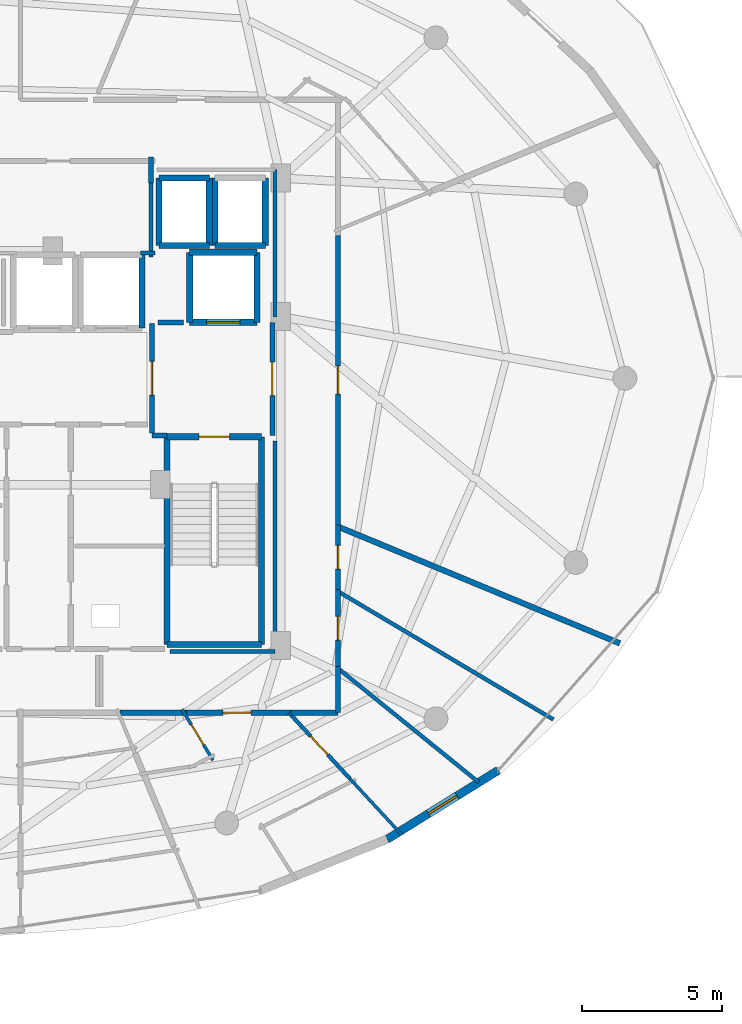
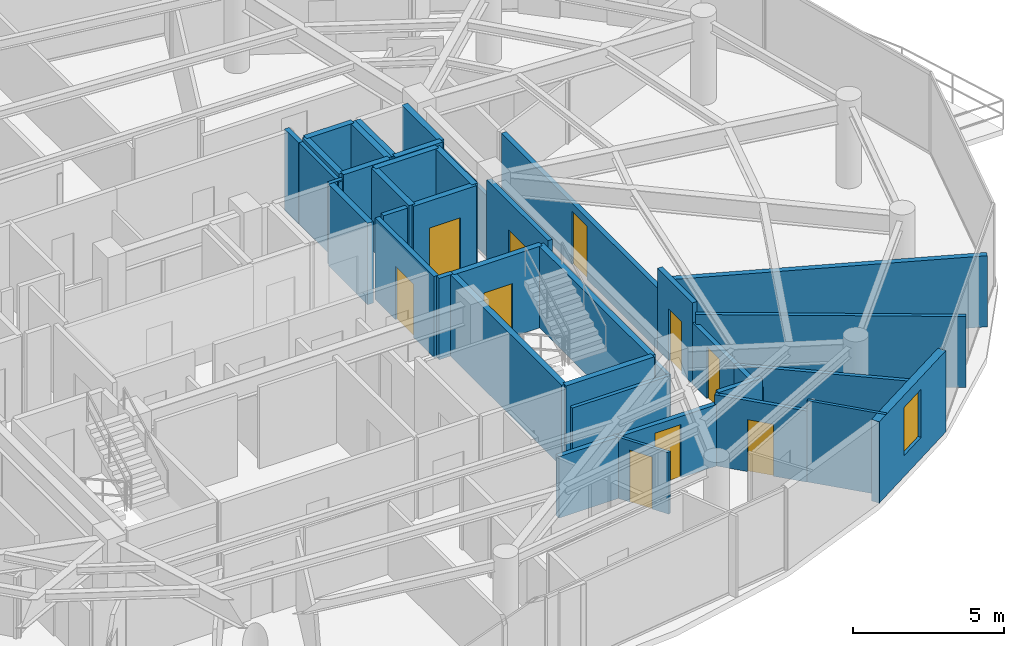
# One storey, part 26 of 31: 40 walls, 10 doors, 1 window, 11 openings.
"""IFC4 building model written with IfcOpenShell, lengths in metres."""

from ifc_helpers import new_model, si_unit, direction, frame, frame_2d, origin, place, context, subcontext, project, spatial, rectangle, extrude, material, layer, layer_set, type_object, element, fill, save


model = new_model("IFC4")

# Units and contexts
model_context = context("Model", 3, precision=1e-05, world=origin(), true_north=direction((0.0, 1.0)))
body_context = subcontext(model_context, "Body", "Model", "MODEL_VIEW")
ifc_project = project(units=[si_unit("LENGTHUNIT", "METRE"), si_unit("AREAUNIT", "SQUARE_METRE"), si_unit("VOLUMEUNIT", "CUBIC_METRE"), si_unit("PLANEANGLEUNIT", "RADIAN"), si_unit("MASSUNIT", "GRAM", prefix="KILO")], contexts=[model_context])

# Site, building, storey
site_placement = place(None, origin())
site = spatial("IfcSite", under=ifc_project, at=site_placement, CompositionType="ELEMENT")
building_placement = place(site_placement, origin())
building = spatial("IfcBuilding", under=site, at=building_placement, Name="Vorneva Point Tower", CompositionType="ELEMENT")
storey_placement = place(building_placement, frame((0.0, 0.0, 266.199951171875)))
storey = spatial("IfcBuildingStorey", under=building, at=storey_placement, Name="L72", CompositionType="ELEMENT", Elevation=266.199951171875)

# Wall, opening, door
ifc_material_1 = material(Name="Concrete B60 (C50/60)", Category="concrete")
ifc_layer_1 = layer(ifc_material_1, 0.35009765625)
ifc_layer_set_1 = layer_set([ifc_layer_1], Name="Concrete B60 (C50/60)")
wall_type_1 = type_object("IfcWallType", Name="WL-CORE-350", PredefinedType="SHEAR", material=ifc_layer_set_1)
wall_1_placement = place(storey_placement, frame((45.5, 28.0, 0.0), z_axis=(0.0, 0.0, 1.0), x_axis=(1.0, 0.0, 0.0)))
wall_1 = element("IfcWall", 1, at=wall_1_placement, inside=storey, type_object=wall_type_1, Name="L72 Lift FFL2 Shaft Wall -Y", PredefinedType="SHEAR", context=body_context, shape_type="SweptSolid", body=[
    extrude(rectangle(XDim=2.39990234375, YDim=0.219970703125, at=frame_2d((1.199951171875, 0.0))), origin(), (0.0, 0.0, 1.0), 3.2900390625),
])
opening_1_placement = place(wall_1_placement, frame((0.60009765625, 0.0, 0.0)))
opening_1 = element("IfcOpeningElement", 2, at=opening_1_placement, cuts=wall_1, Name="Opening LD-02", PredefinedType="OPENING", context=body_context, shape_type="SweptSolid", body=[
    extrude(rectangle(XDim=1.199951171875, YDim=2.199951171875, at=frame_2d((0.60009765625, 1.10009765625))), frame((0.0, 0.125, 0.0), z_axis=(0.0, -1.0, 0.0), x_axis=(1.0, 0.0, 0.0)), (0.0, 0.0, 1.0), 0.249755859375),
])
ifc_material_2 = material(Name="Brushed stainless steel S304", Category="steel")
door_type_1 = type_object("IfcDoorType", Name="LD-FIRE-1200", OperationType="SLIDING_TO_LEFT", PredefinedType="DOOR", material=ifc_material_2)
door_1_placement = place(opening_1_placement, origin())
door_1 = element("IfcDoor", 3, at=door_1_placement, inside=storey, type_object=door_type_1, Name="L72 Lift FFL2 Sliding Landing Door", OperationType="SLIDING_TO_LEFT", OverallHeight=2.199951171875, OverallWidth=1.199951171875, PredefinedType="DOOR", context=body_context, shape_type="SweptSolid", body=[
    extrude(rectangle(XDim=1.199951171875, YDim=2.199951171875, at=frame_2d((0.60009765625, 1.10009765625))), frame((0.0, 0.02490234375, 0.0), z_axis=(0.0, -1.0, 0.0), x_axis=(1.0, 0.0, 0.0)), (0.0, 0.0, 1.0), 0.050048828125),
])
fill(opening_1, door_1)

# Walls
wall_2_placement = place(storey_placement, frame((47.89990234375, 28.0, 0.0), z_axis=(0.0, 0.0, 1.0), x_axis=(0.0, 1.0, 0.0)))
element("IfcWall", 4, at=wall_2_placement, inside=storey, type_object=wall_type_1, Name="L72 Lift FFL2 Shaft Wall +X", PredefinedType="SHEAR", context=body_context, shape_type="SweptSolid", body=[
    extrude(rectangle(XDim=2.5, YDim=0.219970703125, at=frame_2d((1.25, 0.0))), origin(), (0.0, 0.0, 1.0), 3.2900390625),
])
wall_3_placement = place(storey_placement, frame((47.89990234375, 30.5, 0.0), z_axis=(0.0, 0.0, 1.0), x_axis=(-1.0, 0.0, 0.0)))
element("IfcWall", 5, at=wall_3_placement, inside=storey, type_object=wall_type_1, Name="L72 Lift FFL2 Shaft Wall +Y", PredefinedType="SHEAR", context=body_context, shape_type="SweptSolid", body=[
    extrude(rectangle(XDim=2.39990234375, YDim=0.219970703125, at=frame_2d((1.199951171875, 0.0))), origin(), (0.0, 0.0, 1.0), 3.2900390625),
])
wall_4_placement = place(storey_placement, frame((45.5, 30.5, 0.0), z_axis=(0.0, 0.0, 1.0), x_axis=(0.0, -1.0, 0.0)))
element("IfcWall", 6, at=wall_4_placement, inside=storey, type_object=wall_type_1, Name="L72 Lift FFL2 Shaft Wall -X", PredefinedType="SHEAR", context=body_context, shape_type="SweptSolid", body=[
    extrude(rectangle(XDim=2.5, YDim=0.219970703125, at=frame_2d((1.25, 0.0))), origin(), (0.0, 0.0, 1.0), 3.2900390625),
])

# Wall, opening, window
ifc_material_3 = material(Name="Precast concrete B50 (C40/50)", Category="concrete")
ifc_layer_2 = layer(ifc_material_3, 0.300048828125)
ifc_layer_set_2 = layer_set([ifc_layer_2], Name="Precast concrete B50 (C40/50)")
wall_type_2 = type_object("IfcWallType", Name="WL-EXT-300", PredefinedType="STANDARD", material=ifc_layer_set_2)
wall_5_placement = place(storey_placement, frame((52.555908203125, 9.528564453125, 0.0), z_axis=(0.0, 0.0, 1.0), x_axis=(0.849702323036, 0.527262707032, 0.0)))
wall_5 = element("IfcWall", 7, at=wall_5_placement, inside=storey, type_object=wall_type_2, Name="L72 Pale-Metal Facade Spandrel Wall 14.2", PredefinedType="STANDARD", context=body_context, shape_type="SweptSolid", body=[
    extrude(rectangle(XDim=4.67236328125, YDim=0.300048828125, at=frame_2d((2.336181640625, 0.0))), origin(), (0.0, 0.0, 1.0), 3.2900390625),
])
opening_2_placement = place(wall_5_placement, frame((1.736328125, 0.0, 0.85009765625)))
opening_2 = element("IfcOpeningElement", 8, at=opening_2_placement, cuts=wall_5, Name="Opening W-04", PredefinedType="OPENING", context=body_context, shape_type="SweptSolid", body=[
    extrude(rectangle(XDim=1.199951171875, YDim=1.949951171875, at=frame_2d((0.60009765625, 0.97509765625))), frame((0.0, 0.1650390625, 0.0), z_axis=(0.0, -1.0, 0.0), x_axis=(1.0, 0.0, 0.0)), (0.0, 0.0, 1.0), 0.329833984375),
])
ifc_material_4 = material(Name="Double low-e laminated glass IGU", Category="glass")
window_type = type_object("IfcWindowType", Name="WN-RES-1200", PartitioningType="SINGLE_PANEL", PredefinedType="WINDOW", material=ifc_material_4)
window_placement = place(opening_2_placement, origin())
window = element("IfcWindow", 9, at=window_placement, inside=storey, type_object=window_type, Name="L72 Dwelling Vision Window 03", OverallHeight=1.949951171875, OverallWidth=1.199951171875, PartitioningType="SINGLE_PANEL", PredefinedType="WINDOW", context=body_context, shape_type="SweptSolid", body=[
    extrude(rectangle(XDim=1.199951171875, YDim=1.949951171875, at=frame_2d((0.60009765625, 0.97509765625))), frame((0.0, 0.030029296875, 0.0), z_axis=(0.0, -1.0, 0.0), x_axis=(1.0, 0.0, 0.0)), (0.0, 0.0, 1.0), 0.06005859375),
])
fill(opening_2, window)

# Wall, opening, door
ifc_material_5 = material(Name="Fire-rated acoustic gypsum stud partition", Category="gypsum")
ifc_layer_3 = layer(ifc_material_5, 0.110107421875)
ifc_layer_set_3 = layer_set([ifc_layer_3], Name="Fire-rated acoustic gypsum stud partition")
wall_type_3 = type_object("IfcWallType", Name="WL-PART-110", PredefinedType="PARTITIONING", material=ifc_layer_set_3)
wall_6_placement = place(storey_placement, frame((45.22412109375, 14.16943359375, 0.0), z_axis=(0.0, 0.0, 1.0), x_axis=(0.52123627541, -0.853412412141, 0.0)))
wall_6 = element("IfcWall", 10, at=wall_6_placement, inside=storey, type_object=wall_type_3, Name="L72 Interior Partition 116", PredefinedType="PARTITIONING", context=body_context, shape_type="SweptSolid", body=[
    extrude(rectangle(XDim=2.12548828125, YDim=0.110107421875, at=frame_2d((1.062744140625, 0.0))), origin(), (0.0, 0.0, 1.0), 2.48193359375),
])
opening_3_placement = place(wall_6_placement, frame((0.6376953125, 0.0, 0.0)))
opening_3 = element("IfcOpeningElement", 11, at=opening_3_placement, cuts=wall_6, Name="Opening ID-02", PredefinedType="OPENING", context=body_context, shape_type="SweptSolid", body=[
    extrude(rectangle(XDim=0.85009765625, YDim=2.10009765625, at=frame_2d((0.425048828125, 1.050048828125))), frame((0.0, 0.06982421875, 0.0), z_axis=(0.0, -1.0, 0.0), x_axis=(1.0, 0.0, 0.0)), (0.0, 0.0, 1.0), 0.139892578125),
])
ifc_material_6 = material(Name="Engineered oak fire-rated door leaf", Category="wood")
door_type_2 = type_object("IfcDoorType", Name="DR-BATH-850", OperationType="NOTDEFINED", PredefinedType="DOOR", material=ifc_material_6)
door_2_placement = place(opening_3_placement, origin())
door_2 = element("IfcDoor", 12, at=door_2_placement, inside=storey, type_object=door_type_2, Name="L72 Door Living and Dining Room L72-07 / Bathroom L72-07", OperationType="SINGLE_SWING_LEFT", OverallHeight=2.10009765625, OverallWidth=0.85009765625, PredefinedType="DOOR", context=body_context, shape_type="SweptSolid", body=[
    extrude(rectangle(XDim=0.85009765625, YDim=2.10009765625, at=frame_2d((0.425048828125, 1.050048828125))), frame((0.0, 0.02490234375, 0.0), z_axis=(0.0, -1.0, 0.0), x_axis=(1.0, 0.0, 0.0)), (0.0, 0.0, 1.0), 0.050048828125),
])
fill(opening_3, door_2)

# Wall
wall_7_placement = place(storey_placement, frame((51.2138671875, 11.703857421875, 0.0), z_axis=(0.0, 0.0, 1.0), x_axis=(0.678974823397, -0.734161555241, 0.0)))
element("IfcWall", 13, at=wall_7_placement, inside=storey, type_object=wall_type_3, Name="L72 Interior Partition 121", PredefinedType="PARTITIONING", context=body_context, shape_type="SweptSolid", body=[
    extrude(rectangle(XDim=2.742919921875, YDim=0.110107421875, at=frame_2d((1.37158203125, 0.0))), origin(), (0.0, 0.0, 1.0), 3.2900390625),
])

# Wall, opening, door
ifc_layer_4 = layer(ifc_material_5, 0.139892578125)
ifc_layer_set_4 = layer_set([ifc_layer_4], Name="Fire-rated acoustic gypsum stud partition")
wall_type_4 = type_object("IfcWallType", Name="WL-PART-140", PredefinedType="PARTITIONING", material=ifc_layer_set_4)
wall_8_placement = place(storey_placement, frame((51.21435546875, 11.7041015625, 0.0), z_axis=(0.0, 0.0, 1.0), x_axis=(-0.678781449794, 0.734340345763, 0.0)))
wall_8 = element("IfcWall", 14, at=wall_8_placement, inside=storey, type_object=wall_type_4, Name="L72 Interior Partition 122", PredefinedType="PARTITIONING", context=body_context, shape_type="SweptSolid", body=[
    extrude(rectangle(XDim=3.194580078125, YDim=0.139892578125, at=frame_2d((1.59716796875, 0.0))), origin(), (0.0, 0.0, 1.0), 2.8740234375),
])
opening_4_placement = place(wall_8_placement, frame((1.147216796875, 0.0, 0.0)))
opening_4 = element("IfcOpeningElement", 15, at=opening_4_placement, cuts=wall_8, Name="Opening ID-01", PredefinedType="OPENING", context=body_context, shape_type="SweptSolid", body=[
    extrude(rectangle(XDim=0.89990234375, YDim=2.10009765625, at=frame_2d((0.449951171875, 1.050048828125))), frame((0.0, 0.0849609375, 0.0), z_axis=(0.0, -1.0, 0.0), x_axis=(1.0, 0.0, 0.0)), (0.0, 0.0, 1.0), 0.169677734375),
])
door_type_3 = type_object("IfcDoorType", Name="DR-ROOM-900", OperationType="NOTDEFINED", PredefinedType="DOOR", material=ifc_material_6)
door_3_placement = place(opening_4_placement, origin())
door_3 = element("IfcDoor", 16, at=door_3_placement, inside=storey, type_object=door_type_3, Name="L72 Door Living and Dining Room L72-07 / Master Bedroom L72-07.1", OperationType="SINGLE_SWING_LEFT", OverallHeight=2.10009765625, OverallWidth=0.89990234375, PredefinedType="DOOR", context=body_context, shape_type="SweptSolid", body=[
    extrude(rectangle(XDim=0.89990234375, YDim=2.10009765625, at=frame_2d((0.449951171875, 1.050048828125))), frame((0.0, 0.02490234375, 0.0), z_axis=(0.0, -1.0, 0.0), x_axis=(1.0, 0.0, 0.0)), (0.0, 0.0, 1.0), 0.050048828125),
])
fill(opening_4, door_3)

# Walls
wall_9_placement = place(storey_placement, frame((55.827880859375, 11.56298828125, 0.0), z_axis=(0.0, 0.0, 1.0), x_axis=(-0.777103372697, 0.62937298015, 0.0)))
element("IfcWall", 17, at=wall_9_placement, inside=storey, type_object=wall_type_4, Name="L72 Interior Partition 123", PredefinedType="PARTITIONING", context=body_context, shape_type="SweptSolid", body=[
    extrude(rectangle(XDim=6.469970703125, YDim=0.139892578125, at=frame_2d((3.23486328125, 0.0))), origin(), (0.0, 0.0, 1.0), 2.48193359375),
])
wall_10_placement = place(storey_placement, frame((58.492919921875, 13.80810546875, 0.0), z_axis=(0.0, 0.0, 1.0), x_axis=(-0.859400180079, 0.511303560011, 0.0)))
element("IfcWall", 18, at=wall_10_placement, inside=storey, type_object=wall_type_4, Name="L72 Interior Partition 124", PredefinedType="PARTITIONING", context=body_context, shape_type="SweptSolid", body=[
    extrude(rectangle(XDim=8.951416015625, YDim=0.139892578125, at=frame_2d((4.4755859375, 0.0))), origin(), (0.0, 0.0, 1.0), 2.8740234375),
])
wall_11_placement = place(storey_placement, frame((43.735107421875, 30.47998046875, 0.0), z_axis=(0.0, 0.0, 1.0), x_axis=(1.0, 0.0, 0.0)))
element("IfcWall", 19, at=wall_11_placement, inside=storey, type_object=wall_type_4, Name="L72 Interior Closure Partition 129", PredefinedType="PARTITIONING", context=body_context, shape_type="SweptSolid", body=[
    extrude(rectangle(XDim=0.52490234375, YDim=0.139892578125, at=frame_2d((0.262451171875, 0.0))), origin(), (0.0, 0.0, 1.0), 3.2900390625),
])
wall_12_placement = place(storey_placement, frame((44.1201171875, 30.340087890625, 0.0), z_axis=(0.0, 0.0, 1.0), x_axis=(0.0, 1.0, 0.0)))
element("IfcWall", 20, at=wall_12_placement, inside=storey, type_object=wall_type_4, Name="L72 Interior Closure Partition 130", PredefinedType="PARTITIONING", context=body_context, shape_type="SweptSolid", body=[
    extrude(rectangle(XDim=2.659912109375, YDim=0.139892578125, at=frame_2d((1.330078125, 0.0))), origin(), (0.0, 0.0, 1.0), 3.2900390625),
])
wall_13_placement = place(storey_placement, frame((44.804931640625, 16.239990234375, 0.0), z_axis=(0.0, 0.0, 1.0), x_axis=(1.0, 0.0, 0.0)))
element("IfcWall", 21, at=wall_13_placement, inside=storey, type_object=wall_type_4, Name="L72 Interior Closure Partition 141", PredefinedType="PARTITIONING", context=body_context, shape_type="SweptSolid", body=[
    extrude(rectangle(XDim=3.7451171875, YDim=0.139892578125, at=frame_2d((1.87255859375, 0.0))), origin(), (0.0, 0.0, 1.0), 2.48193359375),
])
wall_14_placement = place(storey_placement, frame((48.550048828125, 16.239990234375, 0.0), z_axis=(0.0, 0.0, 1.0), x_axis=(0.0, 1.0, 0.0)))
element("IfcWall", 22, at=wall_14_placement, inside=storey, type_object=wall_type_4, Name="L72 Interior Closure Partition 142", PredefinedType="PARTITIONING", context=body_context, shape_type="SweptSolid", body=[
    extrude(rectangle(XDim=7.513916015625, YDim=0.139892578125, at=frame_2d((3.7568359375, 0.0))), origin(), (0.0, 0.0, 1.0), 2.48193359375),
])
wall_15_placement = place(storey_placement, frame((48.550048828125, 28.196044921875, 0.0), z_axis=(0.0, 0.0, 1.0), x_axis=(0.0, 1.0, 0.0)))
element("IfcWall", 23, at=wall_15_placement, inside=storey, type_object=wall_type_4, Name="L72 Interior Closure Partition 143", PredefinedType="PARTITIONING", context=body_context, shape_type="SweptSolid", body=[
    extrude(rectangle(XDim=5.25390625, YDim=0.139892578125, at=frame_2d((2.626953125, 0.0))), origin(), (0.0, 0.0, 1.0), 2.48193359375),
])

# Wall, opening, door
ifc_material_7 = material(Name="Autoclaved aerated concrete blockwork", Category="masonry")
ifc_layer_5 = layer(ifc_material_7, 0.179931640625)
ifc_layer_set_5 = layer_set([ifc_layer_5], Name="Autoclaved aerated concrete blockwork")
wall_type_5 = type_object("IfcWallType", Name="WL-PART-180", PredefinedType="PARTITIONING", material=ifc_layer_set_5)
wall_16_placement = place(storey_placement, frame((44.14990234375, 27.955078125, 0.0), z_axis=(0.0, 0.0, 1.0), x_axis=(0.0, -1.0, 0.0)))
wall_16 = element("IfcWall", 24, at=wall_16_placement, inside=storey, type_object=wall_type_5, Name="L72 Interior Partition 003", PredefinedType="PARTITIONING", context=body_context, shape_type="SweptSolid", body=[
    extrude(rectangle(XDim=3.91015625, YDim=0.179931640625, at=frame_2d((1.955078125, 0.0))), origin(), (0.0, 0.0, 1.0), 3.2900390625),
])
opening_5_placement = place(wall_16_placement, frame((1.35498046875, 0.0, 0.0)))
opening_5 = element("IfcOpeningElement", 25, at=opening_5_placement, cuts=wall_16, Name="Opening FD-02", PredefinedType="OPENING", context=body_context, shape_type="SweptSolid", body=[
    extrude(rectangle(XDim=1.199951171875, YDim=2.14990234375, at=frame_2d((0.60009765625, 1.074951171875))), frame((0.0, 0.10498046875, 0.0), z_axis=(0.0, -1.0, 0.0), x_axis=(1.0, 0.0, 0.0)), (0.0, 0.0, 1.0), 0.209716796875),
])
ifc_material_8 = material(Name="Fire-rated powder-coated steel", Category="steel")
door_type_4 = type_object("IfcDoorType", Name="DR-FFL-1200", OperationType="NOTDEFINED", PredefinedType="DOOR", material=ifc_material_8)
door_4_placement = place(opening_5_placement, origin())
door_4 = element("IfcDoor", 26, at=door_4_placement, inside=storey, type_object=door_type_4, Name="L72 Door East Firefighting Lobby / Central Lift Lobby", OperationType="SINGLE_SWING_LEFT", OverallHeight=2.14990234375, OverallWidth=1.199951171875, PredefinedType="DOOR", context=body_context, shape_type="SweptSolid", body=[
    extrude(rectangle(XDim=1.199951171875, YDim=2.14990234375, at=frame_2d((0.60009765625, 1.074951171875))), frame((0.0, 0.02490234375, 0.0), z_axis=(0.0, -1.0, 0.0), x_axis=(1.0, 0.0, 0.0)), (0.0, 0.0, 1.0), 0.050048828125),
])
fill(opening_5, door_4)

# Wall
wall_17_placement = place(storey_placement, frame((44.14990234375, 23.949951171875, 0.0), z_axis=(0.0, 0.0, 1.0), x_axis=(1.0, 0.0, 0.0)))
element("IfcWall", 27, at=wall_17_placement, inside=storey, type_object=wall_type_5, Name="L72 Interior Partition 004", PredefinedType="PARTITIONING", context=body_context, shape_type="SweptSolid", body=[
    extrude(rectangle(XDim=0.5400390625, YDim=0.179931640625, at=frame_2d((0.27001953125, 0.0))), origin(), (0.0, 0.0, 1.0), 3.2900390625),
])

# Wall, opening, door
wall_18_placement = place(storey_placement, frame((48.449951171875, 23.949951171875, 0.0), z_axis=(0.0, 0.0, 1.0), x_axis=(0.0, 1.0, 0.0)))
wall_18 = element("IfcWall", 28, at=wall_18_placement, inside=storey, type_object=wall_type_5, Name="L72 Interior Partition 005", PredefinedType="PARTITIONING", context=body_context, shape_type="SweptSolid", body=[
    extrude(rectangle(XDim=4.050048828125, YDim=0.179931640625, at=frame_2d((2.02490234375, 0.0))), origin(), (0.0, 0.0, 1.0), 3.2900390625),
])
opening_6_placement = place(wall_18_placement, frame((1.425048828125, 0.0, 0.0)))
opening_6 = element("IfcOpeningElement", 29, at=opening_6_placement, cuts=wall_18, Name="Opening FD-02", PredefinedType="OPENING", context=body_context, shape_type="SweptSolid", body=[
    extrude(rectangle(XDim=1.199951171875, YDim=2.14990234375, at=frame_2d((0.60009765625, 1.074951171875))), frame((0.0, 0.10498046875, 0.0), z_axis=(0.0, -1.0, 0.0), x_axis=(1.0, 0.0, 0.0)), (0.0, 0.0, 1.0), 0.209716796875),
])
door_5_placement = place(opening_6_placement, origin())
door_5 = element("IfcDoor", 30, at=door_5_placement, inside=storey, type_object=door_type_4, Name="L72 Door East Firefighting Lobby / L72 Circulation Corridor", OperationType="SINGLE_SWING_LEFT", OverallHeight=2.14990234375, OverallWidth=1.199951171875, PredefinedType="DOOR", context=body_context, shape_type="SweptSolid", body=[
    extrude(rectangle(XDim=1.199951171875, YDim=2.14990234375, at=frame_2d((0.60009765625, 1.074951171875))), frame((0.0, 0.02490234375, 0.0), z_axis=(0.0, -1.0, 0.0), x_axis=(1.0, 0.0, 0.0)), (0.0, 0.0, 1.0), 0.050048828125),
])
fill(opening_6, door_5)

# Wall
wall_19_placement = place(storey_placement, frame((44.1201171875, 32.969970703125, 0.0), z_axis=(0.0, 0.0, 1.0), x_axis=(0.0, 1.0, 0.0)))
element("IfcWall", 31, at=wall_19_placement, inside=storey, type_object=wall_type_5, Name="L72 Interior Partition 027", PredefinedType="PARTITIONING", context=body_context, shape_type="SweptSolid", body=[
    extrude(rectangle(XDim=0.929931640625, YDim=0.179931640625, at=frame_2d((0.46484375, 0.0))), origin(), (0.0, 0.0, 1.0), 3.2900390625),
])

# Wall, opening, door
wall_20_placement = place(storey_placement, frame((45.237060546875, 14.050048828125, 0.0), z_axis=(0.0, 0.0, 1.0), x_axis=(1.0, 0.0, 0.0)))
wall_20 = element("IfcWall", 32, at=wall_20_placement, inside=storey, type_object=wall_type_5, Name="L72 Interior Partition 058", PredefinedType="PARTITIONING", context=body_context, shape_type="SweptSolid", body=[
    extrude(rectangle(XDim=3.890869140625, YDim=0.179931640625, at=frame_2d((1.9453125, 0.0))), origin(), (0.0, 0.0, 1.0), 2.48193359375),
])
opening_7_placement = place(wall_20_placement, frame((1.445556640625, 0.0, 0.0)))
opening_7 = element("IfcOpeningElement", 33, at=opening_7_placement, cuts=wall_20, Name="Opening UD-01", PredefinedType="OPENING", context=body_context, shape_type="SweptSolid", body=[
    extrude(rectangle(XDim=1.0, YDim=2.14990234375, at=frame_2d((0.5, 1.074951171875))), frame((0.0, 0.10498046875, 0.0), z_axis=(0.0, -1.0, 0.0), x_axis=(1.0, 0.0, 0.0)), (0.0, 0.0, 1.0), 0.209716796875),
])
door_type_5 = type_object("IfcDoorType", Name="DR-UNIT-1000", OperationType="NOTDEFINED", PredefinedType="DOOR", material=ifc_material_6)
door_6_placement = place(opening_7_placement, origin())
door_6 = element("IfcDoor", 34, at=door_6_placement, inside=storey, type_object=door_type_5, Name="L72 Door L72 Circulation Corridor / Living and Dining Room L72-07", OperationType="SINGLE_SWING_RIGHT", OverallHeight=2.14990234375, OverallWidth=1.0, PredefinedType="DOOR", context=body_context, shape_type="SweptSolid", body=[
    extrude(rectangle(XDim=1.0, YDim=2.14990234375, at=frame_2d((0.5, 1.074951171875))), frame((0.0, 0.02490234375, 0.0), z_axis=(0.0, -1.0, 0.0), x_axis=(1.0, 0.0, 0.0)), (0.0, 0.0, 1.0), 0.050048828125),
])
fill(opening_7, door_6)

# Walls
wall_21_placement = place(storey_placement, frame((43.014892578125, 14.050048828125, 0.0), z_axis=(0.0, 0.0, 1.0), x_axis=(1.0, 0.0, 0.0)))
element("IfcWall", 35, at=wall_21_placement, inside=storey, type_object=wall_type_5, Name="L72 Interior Partition 059", PredefinedType="PARTITIONING", context=body_context, shape_type="SweptSolid", body=[
    extrude(rectangle(XDim=2.362060546875, YDim=0.179931640625, at=frame_2d((1.18115234375, 0.0))), origin(), (0.0, 0.0, 1.0), 2.48193359375),
])
wall_22_placement = place(storey_placement, frame((49.1279296875, 14.050048828125, 0.0), z_axis=(0.0, 0.0, 1.0), x_axis=(1.0, 0.0, 0.0)))
element("IfcWall", 36, at=wall_22_placement, inside=storey, type_object=wall_type_5, Name="L72 Interior Partition 060", PredefinedType="PARTITIONING", context=body_context, shape_type="SweptSolid", body=[
    extrude(rectangle(XDim=1.672119140625, YDim=0.179931640625, at=frame_2d((0.8359375, 0.0))), origin(), (0.0, 0.0, 1.0), 2.93603515625),
])
wall_23_placement = place(storey_placement, frame((50.800048828125, 14.050048828125, 0.0), z_axis=(0.0, 0.0, 1.0), x_axis=(0.0, 1.0, 0.0)))
element("IfcWall", 37, at=wall_23_placement, inside=storey, type_object=wall_type_5, Name="L72 Interior Partition 061", PredefinedType="PARTITIONING", context=body_context, shape_type="SweptSolid", body=[
    extrude(rectangle(XDim=1.64501953125, YDim=0.179931640625, at=frame_2d((0.822509765625, 0.0))), origin(), (0.0, 0.0, 1.0), 2.48193359375),
])

# Wall, opening, door
wall_24_placement = place(storey_placement, frame((50.800048828125, 15.695068359375, 0.0), z_axis=(0.0, 0.0, 1.0), x_axis=(0.0, 1.0, 0.0)))
wall_24 = element("IfcWall", 38, at=wall_24_placement, inside=storey, type_object=wall_type_5, Name="L72 Interior Partition 062", PredefinedType="PARTITIONING", context=body_context, shape_type="SweptSolid", body=[
    extrude(rectangle(XDim=2.75, YDim=0.179931640625, at=frame_2d((1.375, 0.0))), origin(), (0.0, 0.0, 1.0), 2.48193359375),
])
opening_8_placement = place(wall_24_placement, frame((0.949951171875, 0.0, 0.0)))
opening_8 = element("IfcOpeningElement", 39, at=opening_8_placement, cuts=wall_24, Name="Opening ID-02", PredefinedType="OPENING", context=body_context, shape_type="SweptSolid", body=[
    extrude(rectangle(XDim=0.85009765625, YDim=2.10009765625, at=frame_2d((0.425048828125, 1.050048828125))), frame((0.0, 0.10498046875, 0.0), z_axis=(0.0, -1.0, 0.0), x_axis=(1.0, 0.0, 0.0)), (0.0, 0.0, 1.0), 0.209716796875),
])
door_7_placement = place(opening_8_placement, origin())
door_7 = element("IfcDoor", 40, at=door_7_placement, inside=storey, type_object=door_type_2, Name="L72 Access Door L72 Circulation Corridor", OperationType="SINGLE_SWING_RIGHT", OverallHeight=2.10009765625, OverallWidth=0.85009765625, PredefinedType="DOOR", context=body_context, shape_type="SweptSolid", body=[
    extrude(rectangle(XDim=0.85009765625, YDim=2.10009765625, at=frame_2d((0.425048828125, 1.050048828125))), frame((0.0, 0.02490234375, 0.0), z_axis=(0.0, -1.0, 0.0), x_axis=(1.0, 0.0, 0.0)), (0.0, 0.0, 1.0), 0.050048828125),
])
fill(opening_8, door_7)

wall_25_placement = place(storey_placement, frame((50.800048828125, 18.445068359375, 0.0), z_axis=(0.0, 0.0, 1.0), x_axis=(0.0, 1.0, 0.0)))
wall_25 = element("IfcWall", 41, at=wall_25_placement, inside=storey, type_object=wall_type_5, Name="L72 Interior Partition 063", PredefinedType="PARTITIONING", context=body_context, shape_type="SweptSolid", body=[
    extrude(rectangle(XDim=2.31298828125, YDim=0.179931640625, at=frame_2d((1.156494140625, 0.0))), origin(), (0.0, 0.0, 1.0), 3.2900390625),
])
opening_9_placement = place(wall_25_placement, frame((0.7314453125, 0.0, 0.0)))
opening_9 = element("IfcOpeningElement", 42, at=opening_9_placement, cuts=wall_25, Name="Opening ID-02", PredefinedType="OPENING", context=body_context, shape_type="SweptSolid", body=[
    extrude(rectangle(XDim=0.85009765625, YDim=2.10009765625, at=frame_2d((0.425048828125, 1.050048828125))), frame((0.0, 0.10498046875, 0.0), z_axis=(0.0, -1.0, 0.0), x_axis=(1.0, 0.0, 0.0)), (0.0, 0.0, 1.0), 0.209716796875),
])
door_8_placement = place(opening_9_placement, origin())
door_8 = element("IfcDoor", 43, at=door_8_placement, inside=storey, type_object=door_type_2, Name="L72 Access Door L72 Circulation Corridor", OperationType="SINGLE_SWING_LEFT", OverallHeight=2.10009765625, OverallWidth=0.85009765625, PredefinedType="DOOR", context=body_context, shape_type="SweptSolid", body=[
    extrude(rectangle(XDim=0.85009765625, YDim=2.10009765625, at=frame_2d((0.425048828125, 1.050048828125))), frame((0.0, 0.02490234375, 0.0), z_axis=(0.0, -1.0, 0.0), x_axis=(1.0, 0.0, 0.0)), (0.0, 0.0, 1.0), 0.050048828125),
])
fill(opening_9, door_8)

wall_26_placement = place(storey_placement, frame((50.800048828125, 20.758056640625, 0.0), z_axis=(0.0, 0.0, 1.0), x_axis=(0.0, 1.0, 0.0)))
wall_26 = element("IfcWall", 44, at=wall_26_placement, inside=storey, type_object=wall_type_5, Name="L72 Interior Partition 064", PredefinedType="PARTITIONING", context=body_context, shape_type="SweptSolid", body=[
    extrude(rectangle(XDim=10.343994140625, YDim=0.179931640625, at=frame_2d((5.171875, 0.0))), origin(), (0.0, 0.0, 1.0), 2.48193359375),
])
opening_10_placement = place(wall_26_placement, frame((4.672119140625, 0.0, 0.0)))
opening_10 = element("IfcOpeningElement", 45, at=opening_10_placement, cuts=wall_26, Name="Opening UD-01", PredefinedType="OPENING", context=body_context, shape_type="SweptSolid", body=[
    extrude(rectangle(XDim=1.0, YDim=2.14990234375, at=frame_2d((0.5, 1.074951171875))), frame((0.0, 0.10498046875, 0.0), z_axis=(0.0, -1.0, 0.0), x_axis=(1.0, 0.0, 0.0)), (0.0, 0.0, 1.0), 0.209716796875),
])
door_9_placement = place(opening_10_placement, origin())
door_9 = element("IfcDoor", 46, at=door_9_placement, inside=storey, type_object=door_type_5, Name="L72 Door L72 Circulation Corridor / Residents Fitness Studio L72-08", OperationType="SINGLE_SWING_LEFT", OverallHeight=2.14990234375, OverallWidth=1.0, PredefinedType="DOOR", context=body_context, shape_type="SweptSolid", body=[
    extrude(rectangle(XDim=1.0, YDim=2.14990234375, at=frame_2d((0.5, 1.074951171875))), frame((0.0, 0.02490234375, 0.0), z_axis=(0.0, -1.0, 0.0), x_axis=(1.0, 0.0, 0.0)), (0.0, 0.0, 1.0), 0.050048828125),
])
fill(opening_10, door_9)

# Walls
wall_27_placement = place(storey_placement, frame((45.280029296875, 28.0, 0.0), z_axis=(0.0, 0.0, 1.0), x_axis=(-1.0, 0.0, 0.0)))
element("IfcWall", 47, at=wall_27_placement, inside=storey, type_object=wall_type_5, Name="L72 Interior Closure Partition 127", PredefinedType="PARTITIONING", context=body_context, shape_type="SweptSolid", body=[
    extrude(rectangle(XDim=0.9150390625, YDim=0.179931640625, at=frame_2d((0.45751953125, 0.0))), origin(), (0.0, 0.0, 1.0), 3.2900390625),
])
ifc_layer_6 = layer(ifc_material_7, 0.199951171875)
ifc_layer_set_6 = layer_set([ifc_layer_6], Name="Autoclaved aerated concrete blockwork")
wall_type_6 = type_object("IfcWallType", Name="WL-PART-200", PredefinedType="PARTITIONING", material=ifc_layer_set_6)
wall_28_placement = place(storey_placement, frame((60.866943359375, 16.528076171875, 0.0), z_axis=(0.0, 0.0, 1.0), x_axis=(-0.923877013663, 0.382689513347, 0.0)))
element("IfcWall", 48, at=wall_28_placement, inside=storey, type_object=wall_type_6, Name="L72 Interior Partition 125", PredefinedType="PARTITIONING", context=body_context, shape_type="SweptSolid", body=[
    extrude(rectangle(XDim=10.896240234375, YDim=0.199951171875, at=frame_2d((5.4482421875, 0.0))), origin(), (0.0, 0.0, 1.0), 2.8740234375),
])

# Wall, opening, door
ifc_material_9 = material(Name="Concrete B50 (C40/50)", Category="concrete")
ifc_layer_7 = layer(ifc_material_9, 0.219970703125)
ifc_layer_set_7 = layer_set([ifc_layer_7], Name="Concrete B50 (C40/50)")
wall_type_7 = type_object("IfcWallType", Name="WL-SHFT-220", PredefinedType="SOLIDWALL", material=ifc_layer_set_7)
wall_29_placement = place(storey_placement, frame((44.68994140625, 23.909912109375, 0.0), z_axis=(0.0, 0.0, 1.0), x_axis=(1.0, 0.0, 0.0)))
wall_29 = element("IfcWall", 49, at=wall_29_placement, inside=storey, type_object=wall_type_7, Name="L72 Exit Stair ST2 Shaft Wall near", PredefinedType="SOLIDWALL", context=body_context, shape_type="SweptSolid", body=[
    extrude(rectangle(XDim=3.3701171875, YDim=0.219970703125, at=frame_2d((1.68505859375, 0.0))), origin(), (0.0, 0.0, 1.0), 3.2900390625),
])
opening_11_placement = place(wall_29_placement, frame((1.135009765625, 0.0, 0.0)))
opening_11 = element("IfcOpeningElement", 50, at=opening_11_placement, cuts=wall_29, Name="Opening FD-01", PredefinedType="OPENING", context=body_context, shape_type="SweptSolid", body=[
    extrude(rectangle(XDim=1.10009765625, YDim=2.14990234375, at=frame_2d((0.550048828125, 1.074951171875))), frame((0.0, 0.125, 0.0), z_axis=(0.0, -1.0, 0.0), x_axis=(1.0, 0.0, 0.0)), (0.0, 0.0, 1.0), 0.249755859375),
])
door_type_6 = type_object("IfcDoorType", Name="DR-STAIR-1100", OperationType="NOTDEFINED", PredefinedType="DOOR", material=ifc_material_8)
door_10_placement = place(opening_11_placement, origin())
door_10 = element("IfcDoor", 51, at=door_10_placement, inside=storey, type_object=door_type_6, Name="L72 Exit Stair ST2 Fire Door", OperationType="SINGLE_SWING_LEFT", OverallHeight=2.14990234375, OverallWidth=1.10009765625, PredefinedType="DOOR", context=body_context, shape_type="SweptSolid", body=[
    extrude(rectangle(XDim=1.10009765625, YDim=2.14990234375, at=frame_2d((0.550048828125, 1.074951171875))), frame((0.0, 0.02490234375, 0.0), z_axis=(0.0, -1.0, 0.0), x_axis=(1.0, 0.0, 0.0)), (0.0, 0.0, 1.0), 0.050048828125),
])
fill(opening_11, door_10)

# Walls
wall_30_placement = place(storey_placement, frame((48.06005859375, 23.909912109375, 0.0), z_axis=(0.0, 0.0, 1.0), x_axis=(0.0, -1.0, 0.0)))
element("IfcWall", 52, at=wall_30_placement, inside=storey, type_object=wall_type_7, Name="L72 Exit Stair ST2 Shaft Wall right", PredefinedType="SOLIDWALL", context=body_context, shape_type="SweptSolid", body=[
    extrude(rectangle(XDim=7.419921875, YDim=0.219970703125, at=frame_2d((3.7099609375, 0.0))), origin(), (0.0, 0.0, 1.0), 3.2900390625),
])
wall_31_placement = place(storey_placement, frame((48.06005859375, 16.489990234375, 0.0), z_axis=(0.0, 0.0, 1.0), x_axis=(-1.0, 0.0, 0.0)))
element("IfcWall", 53, at=wall_31_placement, inside=storey, type_object=wall_type_7, Name="L72 Exit Stair ST2 Shaft Wall far", PredefinedType="SOLIDWALL", context=body_context, shape_type="SweptSolid", body=[
    extrude(rectangle(XDim=3.3701171875, YDim=0.219970703125, at=frame_2d((1.68505859375, 0.0))), origin(), (0.0, 0.0, 1.0), 3.2900390625),
])
wall_32_placement = place(storey_placement, frame((44.68994140625, 16.489990234375, 0.0), z_axis=(0.0, 0.0, 1.0), x_axis=(0.0, 1.0, 0.0)))
element("IfcWall", 54, at=wall_32_placement, inside=storey, type_object=wall_type_7, Name="L72 Exit Stair ST2 Shaft Wall left", PredefinedType="SOLIDWALL", context=body_context, shape_type="SweptSolid", body=[
    extrude(rectangle(XDim=7.419921875, YDim=0.219970703125, at=frame_2d((3.7099609375, 0.0))), origin(), (0.0, 0.0, 1.0), 3.2900390625),
])
wall_33_placement = place(storey_placement, frame((43.800048828125, 27.800048828125, 0.0), z_axis=(0.0, 0.0, 1.0), x_axis=(0.0, 1.0, 0.0)))
element("IfcWall", 55, at=wall_33_placement, inside=storey, type_object=wall_type_7, Name="L72 Lift PL8 Shaft Wall +X", PredefinedType="SOLIDWALL", context=body_context, shape_type="SweptSolid", body=[
    extrude(rectangle(XDim=2.599853515625, YDim=0.219970703125, at=frame_2d((1.2998046875, 0.0))), origin(), (0.0, 0.0, 1.0), 3.2900390625),
])
wall_34_placement = place(storey_placement, frame((44.39990234375, 30.739990234375, 0.0), z_axis=(0.0, 0.0, 1.0), x_axis=(1.0, 0.0, 0.0)))
element("IfcWall", 56, at=wall_34_placement, inside=storey, type_object=wall_type_7, Name="L72 Lift EX1 Shaft Wall -Y", PredefinedType="SOLIDWALL", context=body_context, shape_type="SweptSolid", body=[
    extrude(rectangle(XDim=1.800048828125, YDim=0.219970703125, at=frame_2d((0.89990234375, 0.0))), origin(), (0.0, 0.0, 1.0), 3.2900390625),
])
wall_35_placement = place(storey_placement, frame((46.199951171875, 30.739990234375, 0.0), z_axis=(0.0, 0.0, 1.0), x_axis=(0.0, 1.0, 0.0)))
element("IfcWall", 57, at=wall_35_placement, inside=storey, type_object=wall_type_7, Name="L72 Lift EX1 Shaft Wall +X", PredefinedType="SOLIDWALL", context=body_context, shape_type="SweptSolid", body=[
    extrude(rectangle(XDim=2.419921875, YDim=0.219970703125, at=frame_2d((1.2099609375, 0.0))), origin(), (0.0, 0.0, 1.0), 3.2900390625),
])
wall_36_placement = place(storey_placement, frame((46.199951171875, 33.159912109375, 0.0), z_axis=(0.0, 0.0, 1.0), x_axis=(-1.0, 0.0, 0.0)))
element("IfcWall", 58, at=wall_36_placement, inside=storey, type_object=wall_type_7, Name="L72 Lift EX1 Shaft Wall +Y", PredefinedType="SOLIDWALL", context=body_context, shape_type="SweptSolid", body=[
    extrude(rectangle(XDim=1.800048828125, YDim=0.219970703125, at=frame_2d((0.89990234375, 0.0))), origin(), (0.0, 0.0, 1.0), 3.2900390625),
])
wall_37_placement = place(storey_placement, frame((44.39990234375, 33.159912109375, 0.0), z_axis=(0.0, 0.0, 1.0), x_axis=(0.0, -1.0, 0.0)))
element("IfcWall", 59, at=wall_37_placement, inside=storey, type_object=wall_type_7, Name="L72 Lift EX1 Shaft Wall -X", PredefinedType="SOLIDWALL", context=body_context, shape_type="SweptSolid", body=[
    extrude(rectangle(XDim=2.419921875, YDim=0.219970703125, at=frame_2d((1.2099609375, 0.0))), origin(), (0.0, 0.0, 1.0), 3.2900390625),
])
wall_38_placement = place(storey_placement, frame((46.39990234375, 30.739990234375, 0.0), z_axis=(0.0, 0.0, 1.0), x_axis=(1.0, 0.0, 0.0)))
element("IfcWall", 60, at=wall_38_placement, inside=storey, type_object=wall_type_7, Name="L72 Lift EX2 Shaft Wall -Y", PredefinedType="SOLIDWALL", context=body_context, shape_type="SweptSolid", body=[
    extrude(rectangle(XDim=1.800048828125, YDim=0.219970703125, at=frame_2d((0.89990234375, 0.0))), origin(), (0.0, 0.0, 1.0), 3.2900390625),
])
for number, where, z_axis, x_axis, name in (
    (61, (48.199951171875, 30.739990234375, 0.0), (0.0, 0.0, 1.0), (0.0, 1.0, 0.0), "L72 Lift EX2 Shaft Wall +X"),
    (62, (46.39990234375, 33.159912109375, 0.0), (0.0, 0.0, 1.0), (0.0, -1.0, 0.0), "L72 Lift EX2 Shaft Wall -X"),
):
    element("IfcWall", number, at=place(storey_placement, frame(where, z_axis=z_axis, x_axis=x_axis)), inside=storey, type_object=wall_type_7, Name=name, PredefinedType="SOLIDWALL", context=body_context, shape_type="SweptSolid", body=[
        extrude(rectangle(XDim=2.419921875, YDim=0.219970703125, at=frame_2d((1.2099609375, 0.0))), origin(), (0.0, 0.0, 1.0), 3.2900390625),
    ])

save(model, "model.ifc")
